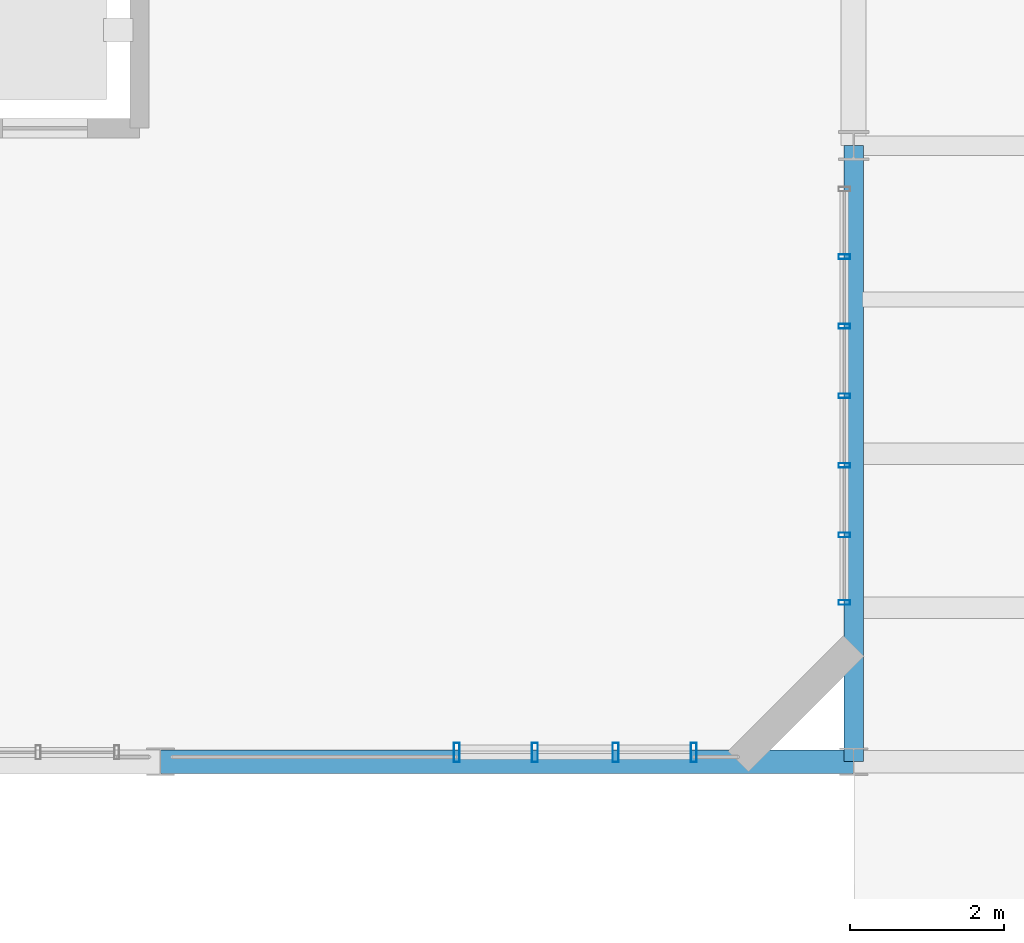
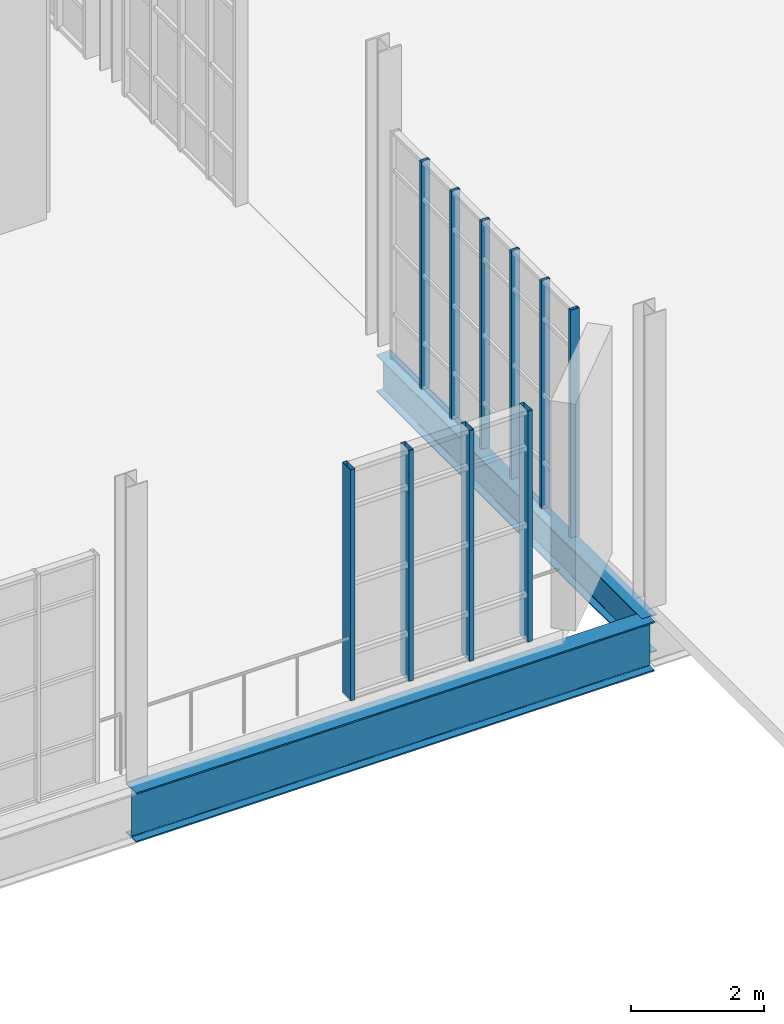
# One storey, part 65 of 189: 10 members, 2 beams, 2 elements without a shape of their own.
"""IFC4 building model written with IfcOpenShell, lengths in metres."""

from ifc_helpers import new_model, si_unit, direction, frame, origin, origin_2d, place, context, subcontext, project, spatial, hollow_rectangle, i_section, extrude, material, layer, layer_set, material_profile, profile_set, type_object, element, aggregate, save


model = new_model("IFC4")

# Units and contexts
model_context = context("Model", 3, precision=1e-05, world=origin(), true_north=direction((0.0, 1.0)))
body_context = subcontext(model_context, "Body", "Model", "MODEL_VIEW")
ifc_project = project(units=[si_unit("LENGTHUNIT", "METRE"), si_unit("AREAUNIT", "SQUARE_METRE"), si_unit("VOLUMEUNIT", "CUBIC_METRE"), si_unit("PLANEANGLEUNIT", "RADIAN"), si_unit("MASSUNIT", "GRAM", prefix="KILO"), si_unit("THERMODYNAMICTEMPERATUREUNIT", "KELVIN"), si_unit("POWERUNIT", "WATT")], contexts=[model_context])

# Site, building, storey
site_placement = place(None, origin())
site = spatial("IfcSite", under=ifc_project, at=site_placement, CompositionType="ELEMENT")
building_placement = place(site_placement, origin())
building = spatial("IfcBuilding", under=site, at=building_placement, Name="Zelmaris Science Centre", CompositionType="ELEMENT")
storey_placement = place(building_placement, origin())
storey = spatial("IfcBuildingStorey", under=building, at=storey_placement, Name="L00", CompositionType="ELEMENT", Elevation=0.0)

# Curtain wall, members
ifc_material_1 = material(Name="Anodised architectural aluminium 6063-T6", Category="aluminium")
ifc_layer_1 = layer(ifc_material_1, 0.219970703125, Name="Anodised architectural aluminium 6063-T6")
ifc_layer_set_1 = layer_set([ifc_layer_1], Name="Anodised architectural aluminium 6063-T6")
curtain_wall_type_1 = type_object("IfcCurtainWallType", Name="Curtain Wall CW-04", PredefinedType="USERDEFINED", material=ifc_layer_set_1)
curtain_wall_1_placement = place(storey_placement, origin())
curtain_wall_1 = element("IfcCurtainWall", 1, at=curtain_wall_1_placement, inside=storey, type_object=curtain_wall_type_1, Name="L00 Unitised curtain wall 32", ObjectType="GLAZED CURTAIN WALL", PredefinedType="USERDEFINED")
ifc_material_profile_1 = material_profile(ifc_material_1, hollow_rectangle(XDim=0.06005859375, YDim=0.14990234375, WallThickness=0.00341796875, at=origin_2d()), Name="ALU-MUL-60X150")
ifc_profile_set_1 = profile_set([ifc_material_profile_1], Name="Anodised architectural aluminium 6063-T6")
member_type_1 = type_object("IfcMemberType", Name="ALU-MUL-60X150", PredefinedType="MULLION", material=ifc_profile_set_1)
member_1_placement = place(storey_placement, frame((71.8798828125, 70.556640625, -0.014892578125), z_axis=(0.0, 0.0, 1.0), x_axis=(0.0, -1.0, 0.0)))
member_1 = element("IfcMember", 2, at=member_1_placement, type_object=member_type_1, Name="CW-04 mullion 2", PredefinedType="MULLION", context=body_context, shape_type="SweptSolid", body=[
    extrude(hollow_rectangle(XDim=0.06005859375, YDim=0.14990234375, WallThickness=0.00341796875, at=origin_2d()), origin(), (0.0, 0.0, 1.0), 4.185791015625),
])
member_2_placement = place(storey_placement, frame((71.8798828125, 69.6533203125, -0.014892578125), z_axis=(0.0, 0.0, 1.0), x_axis=(0.0, -1.0, 0.0)))
member_2 = element("IfcMember", 3, at=member_2_placement, type_object=member_type_1, Name="CW-04 mullion 3", PredefinedType="MULLION", context=body_context, shape_type="SweptSolid", body=[
    extrude(hollow_rectangle(XDim=0.06005859375, YDim=0.14990234375, WallThickness=0.00341796875, at=origin_2d()), origin(), (0.0, 0.0, 1.0), 4.185791015625),
])
member_3_placement = place(storey_placement, frame((71.8798828125, 68.75, -0.014892578125), z_axis=(0.0, 0.0, 1.0), x_axis=(0.0, -1.0, 0.0)))
member_3 = element("IfcMember", 4, at=member_3_placement, type_object=member_type_1, Name="CW-04 mullion 4", PredefinedType="MULLION", context=body_context, shape_type="SweptSolid", body=[
    extrude(hollow_rectangle(XDim=0.06005859375, YDim=0.14990234375, WallThickness=0.00341796875, at=origin_2d()), origin(), (0.0, 0.0, 1.0), 4.185791015625),
])
member_4_placement = place(storey_placement, frame((71.8798828125, 67.8466796875, -0.014892578125), z_axis=(0.0, 0.0, 1.0), x_axis=(0.0, -1.0, 0.0)))
member_4 = element("IfcMember", 5, at=member_4_placement, type_object=member_type_1, Name="CW-04 mullion 5", PredefinedType="MULLION", context=body_context, shape_type="SweptSolid", body=[
    extrude(hollow_rectangle(XDim=0.06005859375, YDim=0.14990234375, WallThickness=0.00341796875, at=origin_2d()), origin(), (0.0, 0.0, 1.0), 4.185791015625),
])
member_5_placement = place(storey_placement, frame((71.8798828125, 66.943359375, -0.014892578125), z_axis=(0.0, 0.0, 1.0), x_axis=(0.0, -1.0, 0.0)))
member_5 = element("IfcMember", 6, at=member_5_placement, type_object=member_type_1, Name="CW-04 mullion 6", PredefinedType="MULLION", context=body_context, shape_type="SweptSolid", body=[
    extrude(hollow_rectangle(XDim=0.06005859375, YDim=0.14990234375, WallThickness=0.00341796875, at=origin_2d()), origin(), (0.0, 0.0, 1.0), 4.185791015625),
])
member_6_placement = place(storey_placement, frame((71.8798828125, 66.06591796875, -0.014892578125), z_axis=(0.0, 0.0, 1.0), x_axis=(0.0, -1.0, 0.0)))
member_6 = element("IfcMember", 7, at=member_6_placement, type_object=member_type_1, Name="CW-04 mullion 7", PredefinedType="MULLION", context=body_context, shape_type="SweptSolid", body=[
    extrude(hollow_rectangle(XDim=0.06005859375, YDim=0.14990234375, WallThickness=0.00341796875, at=origin_2d()), origin(), (0.0, 0.0, 1.0), 4.185791015625),
])
aggregate(curtain_wall_1, [member_1, member_2, member_3, member_4, member_5, member_6])

ifc_layer_2 = layer(ifc_material_1, 0.18994140625, Name="Anodised architectural aluminium 6063-T6")
ifc_layer_set_2 = layer_set([ifc_layer_2], Name="Anodised architectural aluminium 6063-T6")
curtain_wall_type_2 = type_object("IfcCurtainWallType", Name="Curtain Wall CW-01", PredefinedType="USERDEFINED", material=ifc_layer_set_2)
curtain_wall_2_placement = place(storey_placement, origin())
curtain_wall_2 = element("IfcCurtainWall", 8, at=curtain_wall_2_placement, inside=storey, type_object=curtain_wall_type_2, Name="L00 Unitised curtain wall 33", ObjectType="GLAZED CURTAIN WALL", PredefinedType="USERDEFINED")
ifc_material_profile_2 = material_profile(ifc_material_1, hollow_rectangle(XDim=0.080078125, YDim=0.25, WallThickness=0.0048828125, at=origin_2d()), Name="ALU-MUL-80X250")
ifc_profile_set_2 = profile_set([ifc_material_profile_2], Name="Anodised architectural aluminium 6063-T6")
member_type_2 = type_object("IfcMemberType", Name="ALU-MUL-80X250", PredefinedType="MULLION", material=ifc_profile_set_2)
member_7_placement = place(storey_placement, frame((69.924072265625, 64.1201171875, -0.014892578125), z_axis=(0.0, 0.0, 1.0), x_axis=(-1.0, 0.0, 0.0)))
member_7 = element("IfcMember", 9, at=member_7_placement, type_object=member_type_2, Name="CW-01 mullion 1", PredefinedType="MULLION", context=body_context, shape_type="SweptSolid", body=[
    extrude(hollow_rectangle(XDim=0.080078125, YDim=0.25, WallThickness=0.0048828125, at=origin_2d()), origin(), (0.0, 0.0, 1.0), 4.239013671875),
])
member_8_placement = place(storey_placement, frame((68.909912109375, 64.1201171875, -0.014892578125), z_axis=(0.0, 0.0, 1.0), x_axis=(-1.0, 0.0, 0.0)))
member_8 = element("IfcMember", 10, at=member_8_placement, type_object=member_type_2, Name="CW-01 mullion 2", PredefinedType="MULLION", context=body_context, shape_type="SweptSolid", body=[
    extrude(hollow_rectangle(XDim=0.080078125, YDim=0.25, WallThickness=0.0048828125, at=origin_2d()), origin(), (0.0, 0.0, 1.0), 4.239013671875),
])
member_9_placement = place(storey_placement, frame((67.860107421875, 64.1201171875, -0.014892578125), z_axis=(0.0, 0.0, 1.0), x_axis=(-1.0, 0.0, 0.0)))
member_9 = element("IfcMember", 11, at=member_9_placement, type_object=member_type_2, Name="CW-01 mullion 3", PredefinedType="MULLION", context=body_context, shape_type="SweptSolid", body=[
    extrude(hollow_rectangle(XDim=0.080078125, YDim=0.25, WallThickness=0.0048828125, at=origin_2d()), origin(), (0.0, 0.0, 1.0), 4.239013671875),
])
member_10_placement = place(storey_placement, frame((66.845947265625, 64.1201171875, -0.014892578125), z_axis=(0.0, 0.0, 1.0), x_axis=(-1.0, 0.0, 0.0)))
member_10 = element("IfcMember", 12, at=member_10_placement, type_object=member_type_2, Name="CW-01 mullion 4", PredefinedType="MULLION", context=body_context, shape_type="SweptSolid", body=[
    extrude(hollow_rectangle(XDim=0.080078125, YDim=0.25, WallThickness=0.0048828125, at=origin_2d()), origin(), (0.0, 0.0, 1.0), 4.239013671875),
])
aggregate(curtain_wall_2, [member_7, member_8, member_9, member_10])

# Beams
ifc_material_2 = material(Name="Steel ASTM A992 Grade 50", Category="steel")
ifc_material_profile_3 = material_profile(ifc_material_2, i_section(OverallWidth=0.304931640625, OverallDepth=0.9140625, WebThickness=0.0166015625, FlangeThickness=0.02587890625, FilletRadius=0.02392578125, at=origin_2d()), Name="W36X160")
ifc_profile_set_3 = profile_set([ifc_material_profile_3], Name="Steel ASTM A992 Grade 50")
beam_type_1 = type_object("IfcBeamType", Name="Beam G-04 W36X160", PredefinedType="BEAM", material=ifc_profile_set_3)
beam_1_placement = place(storey_placement, frame((63.0, 64.0, -0.737060546875), z_axis=(1.0, 0.0, 0.0), x_axis=(0.0, 1.0, 0.0)))
element("IfcBeam", 13, at=beam_1_placement, inside=storey, type_object=beam_type_1, Name="L00 East-west girder 156", PredefinedType="BEAM", context=body_context, shape_type="SweptSolid", body=[
    extrude(i_section(OverallWidth=0.304931640625, OverallDepth=0.9140625, WebThickness=0.0166015625, FlangeThickness=0.02587890625, FilletRadius=0.02392578125, at=origin_2d()), origin(), (0.0, 0.0, 1.0), 9.0),
])
ifc_material_profile_4 = material_profile(ifc_material_2, i_section(OverallWidth=0.25390625, OverallDepth=0.68310546875, WebThickness=0.012451171875, FlangeThickness=0.018798828125, FilletRadius=0.01806640625, at=origin_2d()), Name="W27X94")
ifc_profile_set_4 = profile_set([ifc_material_profile_4], Name="Steel ASTM A992 Grade 50")
beam_type_2 = type_object("IfcBeamType", Name="Beam G-13 W27X94", PredefinedType="BEAM", material=ifc_profile_set_4)
beam_2_placement = place(storey_placement, frame((72.0, 64.0, -0.62158203125), z_axis=(0.0, 1.0, 0.0), x_axis=(-1.0, 0.0, 0.0)))
element("IfcBeam", 14, at=beam_2_placement, inside=storey, type_object=beam_type_2, Name="L00 North-south girder 38", PredefinedType="BEAM", context=body_context, shape_type="SweptSolid", body=[
    extrude(i_section(OverallWidth=0.25390625, OverallDepth=0.68310546875, WebThickness=0.012451171875, FlangeThickness=0.018798828125, FilletRadius=0.01806640625, at=origin_2d()), origin(), (0.0, 0.0, 1.0), 8.0),
])

save(model, "model.ifc")
